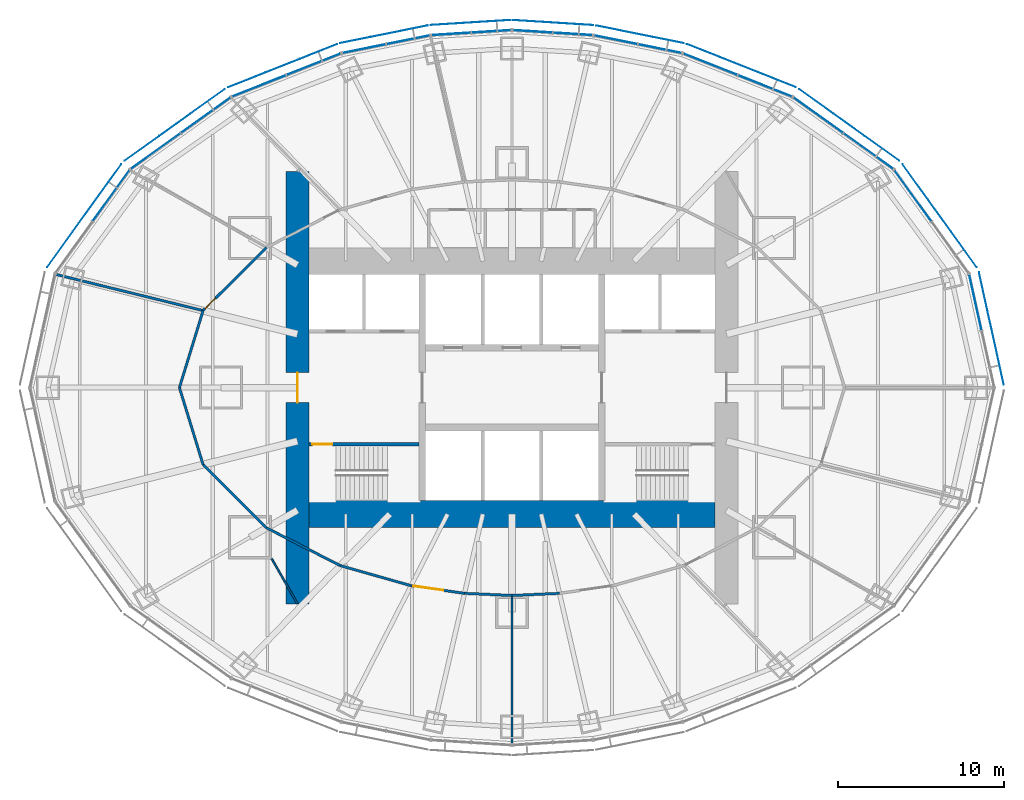
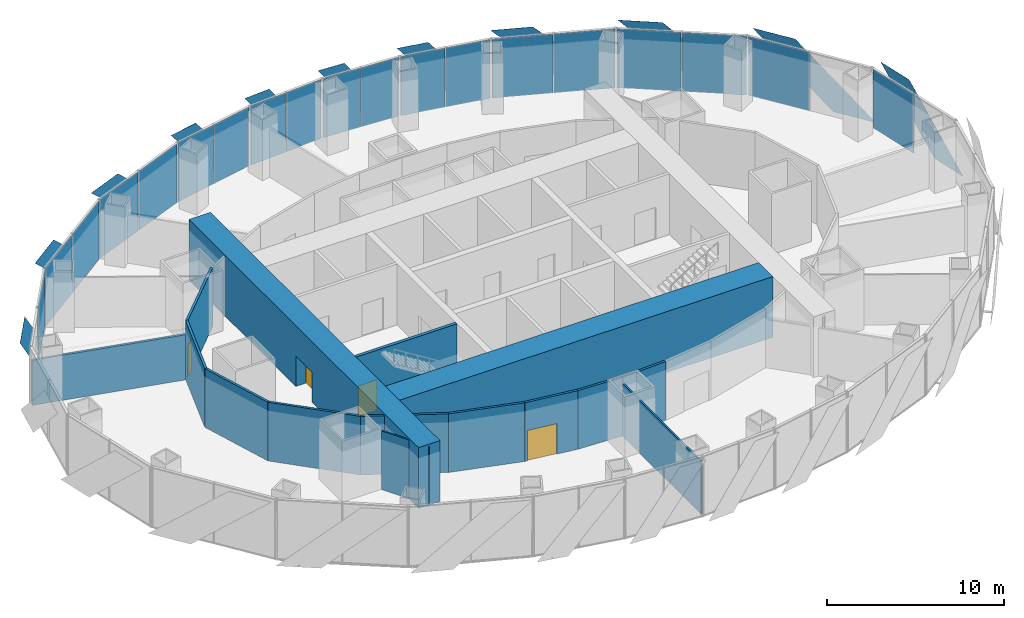
# One storey, part 10 of 18: 30 plates, 15 walls, 4 doors, 4 openings, 11 elements without a shape of their own.
"""IFC4 building model written with IfcOpenShell, lengths in metres."""

import ifcopenshell
import ifcopenshell.guid

model = None  # the IFC model being written
_history = None  # IfcOwnerHistory: only IFC2X3 demands one
_inside = {}  # id of a spatial element -> (the spatial element, [elements in it])
_under = {}  # id of a project, library or spatial element -> (it, [spatial elements below it])
_declared = {}  # id of a project -> (the project, [libraries it declares])
_typed = {}  # id of a type object -> (the type object, [elements of that type])
_made_of = {}  # id of a material, layer set ... -> (it, [elements and type objects made of it])


def new_model(schema):
    """Start an empty IFC model of exactly this schema.

    Asked for "IFC4X3", IfcOpenShell would pick the latest addendum, in which some entities
    have other attributes; the version numbers below select the first issue.
    IFC2X3 requires an IfcOwnerHistory on every rooted entity: one is made here for all.
    """
    global model, _history
    if schema == "IFC4X3":
        model = ifcopenshell.file(schema_version=(4, 3, 0, 0))
    else:
        model = ifcopenshell.file(schema=schema)
    _inside.clear()
    _under.clear()
    _declared.clear()
    _typed.clear()
    _made_of.clear()
    _history = None
    if model.schema == "IFC2X3":
        org = make("IfcOrganization", Name="unknown")
        user = make(
            "IfcPersonAndOrganization",
            ThePerson=make("IfcPerson", FamilyName="unknown"),
            TheOrganization=org,
        )
        app = make(
            "IfcApplication",
            ApplicationDeveloper=org,
            Version="unknown",
            ApplicationFullName="unknown",
            ApplicationIdentifier="unknown",
        )
        _history = make(
            "IfcOwnerHistory",
            OwningUser=user,
            OwningApplication=app,
            ChangeAction="ADDED",
            CreationDate=0,
        )
    return model


def make(cls, **values):
    """One entity of the class cls with the attributes given. An attribute that is None is left unset."""
    return model.create_entity(
        cls, **{name: value for name, value in values.items() if value is not None}
    )


def rooted(cls, **values):
    """An entity with a GlobalId (a new one), such as an element, a storey or a relation."""
    return make(cls, GlobalId=ifcopenshell.guid.new(), OwnerHistory=_history, **values)


def si_unit(unit_type, name, prefix=None):
    """IfcSIUnit, for example si_unit("LENGTHUNIT", "METRE", prefix="MILLI")."""
    return make("IfcSIUnit", UnitType=unit_type, Prefix=prefix, Name=name)


def assignment(units):
    """IfcUnitAssignment: the units of a project."""
    return None if units is None else make("IfcUnitAssignment", Units=units)


def point(xyz):
    """IfcCartesianPoint."""
    return None if xyz is None else make("IfcCartesianPoint", Coordinates=xyz)


def direction(xyz):
    """IfcDirection."""
    return None if xyz is None else make("IfcDirection", DirectionRatios=xyz)


def frame(location, z_axis=None, x_axis=None):
    """IfcAxis2Placement3D, a coordinate frame: its origin and axes. An axis left out is left unset."""
    return make(
        "IfcAxis2Placement3D",
        Location=point(location),
        Axis=direction(z_axis),
        RefDirection=direction(x_axis),
    )


def frame_2d(location, x_axis=None):
    """IfcAxis2Placement2D, a coordinate frame in the plane: its origin and x axis."""
    return make(
        "IfcAxis2Placement2D", Location=point(location), RefDirection=direction(x_axis)
    )


def origin():
    """The frame at (0, 0, 0) with its axes left unset."""
    return frame((0.0, 0.0, 0.0))


def origin_2d():
    """The frame at (0, 0) in the plane with its x axis left unset."""
    return frame_2d((0.0, 0.0))


def place(relative_to, where):
    """IfcLocalPlacement: puts the frame where relative to a parent placement (None: the world)."""
    return make(
        "IfcLocalPlacement", PlacementRelTo=relative_to, RelativePlacement=where
    )


def context(
    kind, dimensions, precision=None, world=None, true_north=None, identifier=None
):
    """IfcGeometricRepresentationContext, for example the 3D "Model" context."""
    return make(
        "IfcGeometricRepresentationContext",
        ContextIdentifier=identifier,
        ContextType=kind,
        CoordinateSpaceDimension=dimensions,
        Precision=precision,
        WorldCoordinateSystem=world,
        TrueNorth=true_north,
    )


def subcontext(parent, identifier, kind, view, scale=None):
    """IfcGeometricRepresentationSubContext, for example "Body" below "Model"."""
    return make(
        "IfcGeometricRepresentationSubContext",
        ContextIdentifier=identifier,
        ContextType=kind,
        ParentContext=parent,
        TargetScale=scale,
        TargetView=view,
    )


def project(units=None, contexts=None):
    """IfcProject with its units and contexts."""
    return rooted(
        "IfcProject",
        Name="project",
        RepresentationContexts=contexts,
        UnitsInContext=assignment(units),
    )


def spatial(cls, under=None, at=None, **own):
    """A site, building, storey or space (cls), placed at a placement, below another one or the project."""
    s = rooted(cls, ObjectPlacement=at, **own)
    if under is not None:
        _under.setdefault(under.id(), (under, []))[1].append(s)
    return s


def polyline(points):
    """IfcPolyline through the points."""
    return make("IfcPolyline", Points=[point(p) for p in points])


def profile(cls, at=None, kind="AREA", **sizes):
    """A parametric profile (cls). Its sizes go by their IFC names, for example OverallWidth=200.0."""
    return make(cls, ProfileType=kind, Position=at, **sizes)


def rectangle(**sizes):
    """IfcRectangleProfileDef."""
    return profile("IfcRectangleProfileDef", **sizes)


def outline(outer, holes=None, kind="AREA"):
    """IfcArbitraryClosedProfileDef: a profile drawn as a closed curve; with holes, ...WithVoids."""
    if holes is None:
        return make("IfcArbitraryClosedProfileDef", ProfileType=kind, OuterCurve=outer)
    return make(
        "IfcArbitraryProfileDefWithVoids",
        ProfileType=kind,
        OuterCurve=outer,
        InnerCurves=holes,
    )


def extrude(swept, where, along, depth):
    """IfcExtrudedAreaSolid: the profile swept, set in the frame where, extruded along a direction by depth."""
    return make(
        "IfcExtrudedAreaSolid",
        SweptArea=swept,
        Position=where,
        ExtrudedDirection=direction(along),
        Depth=depth,
    )


def shape(context_of_items, identifier, shape_type, items):
    """IfcShapeRepresentation: the items that make up one representation, for example the "Body"."""
    return make(
        "IfcShapeRepresentation",
        ContextOfItems=context_of_items,
        RepresentationIdentifier=identifier,
        RepresentationType=shape_type,
        Items=items,
    )


def material(Name=None, Category=None):
    """IfcMaterial."""
    return make("IfcMaterial", Name=Name, Category=Category)


def layer(
    of_material, thickness, ventilated=None, Name=None, Category=None, Priority=None
):
    """IfcMaterialLayer: one layer of a wall or slab, of a material (None: an air gap)."""
    return make(
        "IfcMaterialLayer",
        Material=of_material,
        LayerThickness=thickness,
        IsVentilated=ventilated,
        Name=Name,
        Category=Category,
        Priority=Priority,
    )


def layer_set(layers, Name=None):
    """IfcMaterialLayerSet."""
    return make("IfcMaterialLayerSet", MaterialLayers=layers, LayerSetName=Name)


def made_of(thing, what):
    """Note that an element or type object is made of a material, layer set ...; save() writes the relation."""
    if what is not None:
        _made_of.setdefault(what.id(), (what, []))[1].append(thing)
    return thing


def type_object(cls, material=None, **own):
    """A type object (cls), such as IfcWallType, which elements share."""
    return made_of(rooted(cls, **own), material)


def element(
    cls,
    number,
    at=None,
    inside=None,
    cuts=None,
    type_object=None,
    material=None,
    context=None,
    identifier="Body",
    shape_type=None,
    held_by="IfcProductDefinitionShape",
    body=None,
    shapes=None,
    **own,
):
    """One element of the class cls, such as IfcWall. Its Tag is "e" and its number.

    at: its placement. inside: the storey or other place that contains it. cuts: it is an
    opening in that element (IfcRelVoidsElement). A single representation is given by context,
    identifier, shape_type and body (its items); several are given by shapes. held_by: the class
    of the entity that holds the representations. save() writes the other relations.
    """
    e = rooted(cls, Tag="e%d" % number, ObjectPlacement=at, **own)
    if body is not None:
        shapes = [shape(context, identifier, shape_type, body)]
    if shapes is not None:
        e.Representation = make(held_by, Representations=shapes)
    if inside is not None:
        _inside.setdefault(inside.id(), (inside, []))[1].append(e)
    if cuts is not None:
        rooted(
            "IfcRelVoidsElement", RelatingBuildingElement=cuts, RelatedOpeningElement=e
        )
    if type_object is not None:
        _typed.setdefault(type_object.id(), (type_object, []))[1].append(e)
    return made_of(e, material)


def fill(opening, filler):
    """IfcRelFillsElement: the door or window that sits in an opening."""
    return rooted(
        "IfcRelFillsElement",
        RelatingOpeningElement=opening,
        RelatedBuildingElement=filler,
    )


def aggregate(whole, parts):
    """IfcRelAggregates: a whole, such as a stair, and the parts it consists of."""
    return rooted("IfcRelAggregates", RelatingObject=whole, RelatedObjects=parts)


def save(model, path):
    """Write the relations noted so far, then the file.

    IfcRelAggregates (storeys below a building ...), IfcRelContainedInSpatialStructure (elements
    in a storey), IfcRelDefinesByType, IfcRelAssociatesMaterial and IfcRelDeclares: one each for
    every whole, place, type object, material and project.
    """
    for whole, parts in _under.values():
        aggregate(whole, parts)
    for where, things in _inside.values():
        rooted(
            "IfcRelContainedInSpatialStructure",
            RelatedElements=things,
            RelatingStructure=where,
        )
    for kind, things in _typed.values():
        rooted("IfcRelDefinesByType", RelatedObjects=things, RelatingType=kind)
    for what, things in _made_of.values():
        rooted("IfcRelAssociatesMaterial", RelatedObjects=things, RelatingMaterial=what)
    for by, libraries in _declared.values():
        rooted("IfcRelDeclares", RelatingContext=by, RelatedDefinitions=libraries)
    model.write(path)


model = new_model("IFC4")

# Units and contexts
model_context = context("Model", 3, precision=1e-05, world=origin(), true_north=direction((0.0, 1.0)))
body_context = subcontext(model_context, "Body", "Model", "MODEL_VIEW")
ifc_project = project(units=[si_unit("LENGTHUNIT", "METRE"), si_unit("AREAUNIT", "SQUARE_METRE"), si_unit("VOLUMEUNIT", "CUBIC_METRE"), si_unit("PLANEANGLEUNIT", "RADIAN"), si_unit("MASSUNIT", "GRAM", prefix="KILO")], contexts=[model_context])

# Site, building, storey
site_placement = place(None, origin())
site = spatial("IfcSite", under=ifc_project, at=site_placement, CompositionType="ELEMENT")
building_placement = place(site_placement, origin())
building = spatial("IfcBuilding", under=site, at=building_placement, Name="Lantaw Convention Tower", CompositionType="ELEMENT")
storey_placement = place(building_placement, frame((0.0, 0.0, 134.199951171875)))
storey = spatial("IfcBuildingStorey", under=building, at=storey_placement, Name="L31", CompositionType="ELEMENT", Elevation=134.199951171875)

# Curtain wall, plate
ifc_material_1 = material(Name="Aluminium framed curtain wall", Category="aluminium")
curtain_wall_type = type_object("IfcCurtainWallType", Name="Office curtain wall low rise, pale aluminium", PredefinedType="USERDEFINED", material=ifc_material_1)
curtain_wall_1_placement = place(storey_placement, origin())
curtain_wall_1 = element("IfcCurtainWall", 1, at=curtain_wall_1_placement, inside=storey, type_object=curtain_wall_type, Name="Office curtain wall low rise, pale aluminium L31", ObjectType="UNITISED CURTAIN WALL", PredefinedType="USERDEFINED")
ifc_material_2 = material(Name="Clear insulating glass", Category="glass")
ifc_layer_1 = layer(ifc_material_2, 0.028076171875)
ifc_layer_set_1 = layer_set([ifc_layer_1], Name="CW-O1 panel 28")
plate_type_1 = type_object("IfcPlateType", Name="CW-O1 panel 28", PredefinedType="CURTAIN_PANEL", material=ifc_layer_set_1)
plate_1_placement = place(storey_placement, frame((27.868896484375, 5.1240234375, -0.0849609375), z_axis=(0.0, 0.0, 1.0), x_axis=(-0.215546166174, 0.9764936509, 0.0)))
plate_1 = element("IfcPlate", 2, at=plate_1_placement, type_object=plate_type_1, Name="CW-O1 panel 2.1", PredefinedType="CURTAIN_PANEL", context=body_context, shape_type="SweptSolid", body=[
    extrude(rectangle(XDim=3.41162109375, YDim=0.028076171875, at=origin_2d()), origin(), (0.0, 0.0, 1.0), 4.070068359375),
])
aggregate(curtain_wall_1, [plate_1])

curtain_wall_2_placement = place(storey_placement, origin())
curtain_wall_2 = element("IfcCurtainWall", 3, at=curtain_wall_2_placement, inside=storey, type_object=curtain_wall_type, Name="Office curtain wall low rise, pale aluminium L31", ObjectType="UNITISED CURTAIN WALL", PredefinedType="USERDEFINED")
plate_2_placement = place(storey_placement, frame((24.108154296875, 11.5439453125, -0.0849609375), z_axis=(0.0, 0.0, 1.0), x_axis=(-0.584512597221, 0.811384633629, 0.0)))
plate_2 = element("IfcPlate", 4, at=plate_2_placement, type_object=plate_type_1, Name="CW-O1 panel 2.1", PredefinedType="CURTAIN_PANEL", context=body_context, shape_type="SweptSolid", body=[
    extrude(rectangle(XDim=3.767333984375, YDim=0.028076171875, at=origin_2d()), origin(), (0.0, 0.0, 1.0), 4.070068359375),
])
aggregate(curtain_wall_2, [plate_2])

# Curtain wall, plates
curtain_wall_3_placement = place(storey_placement, origin())
curtain_wall_3 = element("IfcCurtainWall", 5, at=curtain_wall_3_placement, inside=storey, type_object=curtain_wall_type, Name="Office curtain wall low rise, pale aluminium L31", ObjectType="UNITISED CURTAIN WALL", PredefinedType="USERDEFINED")
plate_3_placement = place(storey_placement, frame((21.43408203125, 14.2236328125, -0.0849609375), z_axis=(0.0, 0.0, 1.0), x_axis=(-0.813208325995, 0.581972695693, 0.0)))
plate_3 = element("IfcPlate", 6, at=plate_3_placement, type_object=plate_type_1, Name="CW-O1 panel 1.1", PredefinedType="CURTAIN_PANEL", context=body_context, shape_type="SweptSolid", body=[
    extrude(rectangle(XDim=3.645263671875, YDim=0.028076171875, at=origin_2d()), origin(), (0.0, 0.0, 1.0), 4.070068359375),
])
plate_4_placement = place(storey_placement, frame((18.416748046875, 16.383056640625, -0.0849609375), z_axis=(0.0, 0.0, 1.0), x_axis=(-0.813208325995, 0.581972695693, 0.0)))
plate_4 = element("IfcPlate", 7, at=plate_4_placement, type_object=plate_type_1, Name="CW-O1 panel 2.1", PredefinedType="CURTAIN_PANEL", context=body_context, shape_type="SweptSolid", body=[
    extrude(rectangle(XDim=3.645263671875, YDim=0.028076171875, at=origin_2d()), origin(), (0.0, 0.0, 1.0), 4.070068359375),
])
aggregate(curtain_wall_3, [plate_3, plate_4])

curtain_wall_4_placement = place(storey_placement, origin())
curtain_wall_4 = element("IfcCurtainWall", 8, at=curtain_wall_4_placement, inside=storey, type_object=curtain_wall_type, Name="Office curtain wall low rise, pale aluminium L31", ObjectType="UNITISED CURTAIN WALL", PredefinedType="USERDEFINED")
plate_5_placement = place(storey_placement, frame((15.208251953125, 18.145263671875, -0.0849609375), z_axis=(0.0, 0.0, 1.0), x_axis=(-0.929547687544, 0.368701907483, 0.0)))
plate_5 = element("IfcPlate", 9, at=plate_5_placement, type_object=plate_type_1, Name="CW-O1 panel 1.1", PredefinedType="CURTAIN_PANEL", context=body_context, shape_type="SweptSolid", body=[
    extrude(rectangle(XDim=3.470703125, YDim=0.028076171875, at=origin_2d()), origin(), (0.0, 0.0, 1.0), 4.070068359375),
])
plate_6_placement = place(storey_placement, frame((11.921630859375, 19.448974609375, -0.0849609375), z_axis=(0.0, 0.0, 1.0), x_axis=(-0.929547687544, 0.368701907483, 0.0)))
plate_6 = element("IfcPlate", 10, at=plate_6_placement, type_object=plate_type_1, Name="CW-O1 panel 2.1", PredefinedType="CURTAIN_PANEL", context=body_context, shape_type="SweptSolid", body=[
    extrude(rectangle(XDim=3.470703125, YDim=0.028076171875, at=origin_2d()), origin(), (0.0, 0.0, 1.0), 4.070068359375),
])
aggregate(curtain_wall_4, [plate_5, plate_6])

curtain_wall_5_placement = place(storey_placement, origin())
curtain_wall_5 = element("IfcCurtainWall", 11, at=curtain_wall_5_placement, inside=storey, type_object=curtain_wall_type, Name="Office curtain wall low rise, pale aluminium L31", ObjectType="UNITISED CURTAIN WALL", PredefinedType="USERDEFINED")
plate_7_placement = place(storey_placement, frame((8.893310546875, 20.3857421875, -0.0849609375), z_axis=(0.0, 0.0, 1.0), x_axis=(-0.980301514912, 0.197506809659, 0.0)))
plate_7 = element("IfcPlate", 12, at=plate_7_placement, type_object=plate_type_1, Name="CW-O1 panel 1.1", PredefinedType="CURTAIN_PANEL", context=body_context, shape_type="SweptSolid", body=[
    extrude(rectangle(XDim=2.634033203125, YDim=0.028076171875, at=origin_2d()), origin(), (0.0, 0.0, 1.0), 4.070068359375),
])
plate_8_placement = place(storey_placement, frame((6.247314453125, 20.9189453125, -0.0849609375), z_axis=(0.0, 0.0, 1.0), x_axis=(-0.980301514912, 0.197506809659, 0.0)))
plate_8 = element("IfcPlate", 13, at=plate_8_placement, type_object=plate_type_1, Name="CW-O1 panel 2.1", PredefinedType="CURTAIN_PANEL", context=body_context, shape_type="SweptSolid", body=[
    extrude(rectangle(XDim=2.634033203125, YDim=0.028076171875, at=origin_2d()), origin(), (0.0, 0.0, 1.0), 4.070068359375),
])
aggregate(curtain_wall_5, [plate_7, plate_8])

curtain_wall_6_placement = place(storey_placement, origin())
curtain_wall_6 = element("IfcCurtainWall", 14, at=curtain_wall_6_placement, inside=storey, type_object=curtain_wall_type, Name="Office curtain wall low rise, pale aluminium L31", ObjectType="UNITISED CURTAIN WALL", PredefinedType="USERDEFINED")
plate_9_placement = place(storey_placement, frame((3.653076171875, 21.269775390625, -0.0849609375), z_axis=(0.0, 0.0, 1.0), x_axis=(-0.998022035978, 0.062865059466, 0.0)))
plate_9 = element("IfcPlate", 15, at=plate_9_placement, type_object=plate_type_1, Name="CW-O1 panel 1.1", PredefinedType="CURTAIN_PANEL", context=body_context, shape_type="SweptSolid", body=[
    extrude(rectangle(XDim=2.353515625, YDim=0.028076171875, at=origin_2d()), origin(), (0.0, 0.0, 1.0), 4.070068359375),
])
plate_10_placement = place(storey_placement, frame((1.2392578125, 21.421875, -0.0849609375), z_axis=(0.0, 0.0, 1.0), x_axis=(-0.998022035978, 0.062865059466, 0.0)))
plate_10 = element("IfcPlate", 16, at=plate_10_placement, type_object=plate_type_1, Name="CW-O1 panel 2.1", PredefinedType="CURTAIN_PANEL", context=body_context, shape_type="SweptSolid", body=[
    extrude(rectangle(XDim=2.353515625, YDim=0.028076171875, at=origin_2d()), origin(), (0.0, 0.0, 1.0), 4.070068359375),
])
aggregate(curtain_wall_6, [plate_9, plate_10])

curtain_wall_7_placement = place(storey_placement, origin())
curtain_wall_7 = element("IfcCurtainWall", 17, at=curtain_wall_7_placement, inside=storey, type_object=curtain_wall_type, Name="Office curtain wall low rise, pale aluminium L31", ObjectType="UNITISED CURTAIN WALL", PredefinedType="USERDEFINED")
plate_11_placement = place(storey_placement, frame((-1.2392578125, 21.421875, -0.0849609375), z_axis=(0.0, 0.0, 1.0), x_axis=(-0.998022035978, -0.062865059466, 0.0)))
plate_11 = element("IfcPlate", 18, at=plate_11_placement, type_object=plate_type_1, Name="CW-O1 panel 1.1", PredefinedType="CURTAIN_PANEL", context=body_context, shape_type="SweptSolid", body=[
    extrude(rectangle(XDim=2.353515625, YDim=0.028076171875, at=origin_2d()), origin(), (0.0, 0.0, 1.0), 4.070068359375),
])
plate_12_placement = place(storey_placement, frame((-3.653076171875, 21.269775390625, -0.0849609375), z_axis=(0.0, 0.0, 1.0), x_axis=(-0.998022035978, -0.062865059466, 0.0)))
plate_12 = element("IfcPlate", 19, at=plate_12_placement, type_object=plate_type_1, Name="CW-O1 panel 2.1", PredefinedType="CURTAIN_PANEL", context=body_context, shape_type="SweptSolid", body=[
    extrude(rectangle(XDim=2.353515625, YDim=0.028076171875, at=origin_2d()), origin(), (0.0, 0.0, 1.0), 4.070068359375),
])
aggregate(curtain_wall_7, [plate_11, plate_12])

curtain_wall_8_placement = place(storey_placement, origin())
curtain_wall_8 = element("IfcCurtainWall", 20, at=curtain_wall_8_placement, inside=storey, type_object=curtain_wall_type, Name="Office curtain wall low rise, pale aluminium L31", ObjectType="UNITISED CURTAIN WALL", PredefinedType="USERDEFINED")
plate_13_placement = place(storey_placement, frame((-6.247314453125, 20.9189453125, -0.0849609375), z_axis=(0.0, 0.0, 1.0), x_axis=(-0.980301514912, -0.197506809659, 0.0)))
plate_13 = element("IfcPlate", 21, at=plate_13_placement, type_object=plate_type_1, Name="CW-O1 panel 1.1", PredefinedType="CURTAIN_PANEL", context=body_context, shape_type="SweptSolid", body=[
    extrude(rectangle(XDim=2.634033203125, YDim=0.028076171875, at=origin_2d()), origin(), (0.0, 0.0, 1.0), 4.070068359375),
])
plate_14_placement = place(storey_placement, frame((-8.893310546875, 20.3857421875, -0.0849609375), z_axis=(0.0, 0.0, 1.0), x_axis=(-0.980301514912, -0.197506809659, 0.0)))
plate_14 = element("IfcPlate", 22, at=plate_14_placement, type_object=plate_type_1, Name="CW-O1 panel 2.1", PredefinedType="CURTAIN_PANEL", context=body_context, shape_type="SweptSolid", body=[
    extrude(rectangle(XDim=2.634033203125, YDim=0.028076171875, at=origin_2d()), origin(), (0.0, 0.0, 1.0), 4.070068359375),
])
aggregate(curtain_wall_8, [plate_13, plate_14])

curtain_wall_9_placement = place(storey_placement, origin())
curtain_wall_9 = element("IfcCurtainWall", 23, at=curtain_wall_9_placement, inside=storey, type_object=curtain_wall_type, Name="Office curtain wall low rise, pale aluminium L31", ObjectType="UNITISED CURTAIN WALL", PredefinedType="USERDEFINED")
plate_15_placement = place(storey_placement, frame((-11.921630859375, 19.448974609375, -0.0849609375), z_axis=(0.0, 0.0, 1.0), x_axis=(-0.929547687544, -0.368701907483, 0.0)))
plate_15 = element("IfcPlate", 24, at=plate_15_placement, type_object=plate_type_1, Name="CW-O1 panel 1.1", PredefinedType="CURTAIN_PANEL", context=body_context, shape_type="SweptSolid", body=[
    extrude(rectangle(XDim=3.470703125, YDim=0.028076171875, at=origin_2d()), origin(), (0.0, 0.0, 1.0), 4.070068359375),
])
plate_16_placement = place(storey_placement, frame((-15.208251953125, 18.145263671875, -0.0849609375), z_axis=(0.0, 0.0, 1.0), x_axis=(-0.929547687544, -0.368701907483, 0.0)))
plate_16 = element("IfcPlate", 25, at=plate_16_placement, type_object=plate_type_1, Name="CW-O1 panel 2.1", PredefinedType="CURTAIN_PANEL", context=body_context, shape_type="SweptSolid", body=[
    extrude(rectangle(XDim=3.470703125, YDim=0.028076171875, at=origin_2d()), origin(), (0.0, 0.0, 1.0), 4.070068359375),
])
aggregate(curtain_wall_9, [plate_15, plate_16])

curtain_wall_10_placement = place(storey_placement, origin())
curtain_wall_10 = element("IfcCurtainWall", 26, at=curtain_wall_10_placement, inside=storey, type_object=curtain_wall_type, Name="Office curtain wall low rise, pale aluminium L31", ObjectType="UNITISED CURTAIN WALL", PredefinedType="USERDEFINED")
plate_17_placement = place(storey_placement, frame((-18.416748046875, 16.383056640625, -0.0849609375), z_axis=(0.0, 0.0, 1.0), x_axis=(-0.813208325995, -0.581972695693, 0.0)))
plate_17 = element("IfcPlate", 27, at=plate_17_placement, type_object=plate_type_1, Name="CW-O1 panel 1.1", PredefinedType="CURTAIN_PANEL", context=body_context, shape_type="SweptSolid", body=[
    extrude(rectangle(XDim=3.645263671875, YDim=0.028076171875, at=origin_2d()), origin(), (0.0, 0.0, 1.0), 4.070068359375),
])
plate_18_placement = place(storey_placement, frame((-21.43408203125, 14.2236328125, -0.0849609375), z_axis=(0.0, 0.0, 1.0), x_axis=(-0.813208325995, -0.581972695693, 0.0)))
plate_18 = element("IfcPlate", 28, at=plate_18_placement, type_object=plate_type_1, Name="CW-O1 panel 2.1", PredefinedType="CURTAIN_PANEL", context=body_context, shape_type="SweptSolid", body=[
    extrude(rectangle(XDim=3.645263671875, YDim=0.028076171875, at=origin_2d()), origin(), (0.0, 0.0, 1.0), 4.070068359375),
])
aggregate(curtain_wall_10, [plate_17, plate_18])

# Curtain wall, plate
curtain_wall_11_placement = place(storey_placement, origin())
curtain_wall_11 = element("IfcCurtainWall", 29, at=curtain_wall_11_placement, inside=storey, type_object=curtain_wall_type, Name="Office curtain wall low rise, pale aluminium L31", ObjectType="UNITISED CURTAIN WALL", PredefinedType="USERDEFINED")
plate_19_placement = place(storey_placement, frame((-24.108154296875, 11.5439453125, -0.0849609375), z_axis=(0.0, 0.0, 1.0), x_axis=(-0.584512597221, -0.811384633629, 0.0)))
plate_19 = element("IfcPlate", 30, at=plate_19_placement, type_object=plate_type_1, Name="CW-O1 panel 1.1", PredefinedType="CURTAIN_PANEL", context=body_context, shape_type="SweptSolid", body=[
    extrude(rectangle(XDim=3.767333984375, YDim=0.028076171875, at=origin_2d()), origin(), (0.0, 0.0, 1.0), 4.070068359375),
])
aggregate(curtain_wall_11, [plate_19])

# Plates
ifc_material_3 = material(Name="Perforated aluminium sheet, pale silver finish", Category="aluminium")
ifc_layer_2 = layer(ifc_material_3, 0.006103515625)
ifc_layer_set_2 = layer_set([ifc_layer_2], Name="Perforated aluminium solar SCREEN panel")
plate_type_2 = type_object("IfcPlateType", Name="Perforated aluminium solar SCREEN panel", PredefinedType="SHEET", material=ifc_layer_set_2)
plate_20_placement = place(storey_placement, frame((29.5810546875, 0.179443359375, -0.175048828125), z_axis=(0.976497812463, 0.215527309509, 3.332717e-05), x_axis=(-0.215527309629, 0.976497813005, 1.665e-09)))
element("IfcPlate", 31, at=plate_20_placement, inside=storey, type_object=plate_type_2, Name="Solar SCREEN panel", PredefinedType="SHEET", context=body_context, shape_type="SweptSolid", body=[
    extrude(outline(polyline([(0.0, 0.0), (2.3861843673609986, 3.3881317890172014e-21), (6.918240190546627, 4.340087881517419), (4.532108442157707, 4.340087889462621), (0.0, 0.0)])), origin(), (0.0, 0.0, -1.0), 0.006103515625),
])
plate_21_placement = place(storey_placement, frame((27.94970703125, 7.248046875, -0.175048828125), z_axis=(0.81139512159, 0.584498037099, 3.5886784e-05), x_axis=(-0.584498037475, 0.811395122112, -9.74e-10)))
element("IfcPlate", 32, at=plate_21_placement, inside=storey, type_object=plate_type_2, Name="Solar SCREEN panel", PredefinedType="SHEET", context=body_context, shape_type="SweptSolid", body=[
    extrude(outline(polyline([(0.0, 0.0), (2.628222178575422, -6.776263578034403e-21), (7.629778257969264, 4.340087900852944), (5.001754173906077, 4.340087895732103), (0.0, 0.0)])), origin(), (0.0, 0.0, -1.0), 0.006103515625),
])
plate_22_placement = place(storey_placement, frame((23.281005859375, 13.64697265625, -0.175048828125), z_axis=(0.582000183937, 0.813188653244, 1.1537145e-05), x_axis=(-0.813188653298, 0.582000183975, 0.0)))
element("IfcPlate", 33, at=plate_22_placement, inside=storey, type_object=plate_type_2, Name="Solar SCREEN panel", PredefinedType="SHEET", context=body_context, shape_type="SweptSolid", body=[
    extrude(outline(polyline([(0.0, 0.0), (2.5450183911586484, 0.0), (7.385531276904658, 4.340087890913846), (4.840512885746009, 4.340087890913846), (0.0, 0.0)])), origin(), (0.0, 0.0, -1.0), 0.006103515625),
])
plate_23_placement = place(storey_placement, frame((17.05859375, 18.063232421875, -0.175048828125), z_axis=(-0.368708915367, -0.929544907797, 1.086705e-05), x_axis=(-0.929544907851, 0.368708915389, 7.1e-10)))
element("IfcPlate", 34, at=plate_23_placement, inside=storey, type_object=plate_type_2, Name="Solar SCREEN panel", PredefinedType="SHEET", context=body_context, shape_type="SweptSolid", body=[
    extrude(outline(polyline([(0.0, 0.0), (2.4263803793049097, -1.6940658945086007e-21), (7.036549629566982, -4.340087885886879), (4.61003232741235, -4.340087889331358), (0.0, 0.0)])), origin(), (0.0, 0.0, -1.0), 0.006103515625),
])
plate_24_placement = place(storey_placement, frame((10.318603515625, 20.716796875, -0.175048828125), z_axis=(0.197556725442, 0.980291455983, 3.9483498e-05), x_axis=(-0.980291456747, 0.197556725596, 0.0)))
element("IfcPlate", 35, at=plate_24_placement, inside=storey, type_object=plate_type_2, Name="Solar SCREEN panel", PredefinedType="SHEET", context=body_context, shape_type="SweptSolid", body=[
    extrude(outline(polyline([(0.0, 0.0), (1.8574075788555457, 3.3881317890172014e-21), (5.362987026845185, 4.340087894007983), (3.505579447989639, 4.340087894007983), (0.0, 0.0)])), origin(), (0.0, 0.0, -1.0), 0.006103515625),
])
plate_25_placement = place(storey_placement, frame((4.880615234375, 21.7998046875, -0.175048828125), z_axis=(0.062838799866, 0.998023689713, 1.755059e-06), x_axis=(-0.998023689715, 0.062838799866, -8e-12)))
element("IfcPlate", 36, at=plate_25_placement, inside=storey, type_object=plate_type_2, Name="Solar SCREEN panel", PredefinedType="SHEET", context=body_context, shape_type="SweptSolid", body=[
    extrude(outline(polyline([(0.0, 0.0), (1.6666243269452135, 2.6469779601696886e-23), (4.802214797186689, 4.340087890670476), (3.135346812114104, 4.340087890643548), (0.0, 0.0)])), origin(), (0.0, 0.0, -1.0), 0.006103515625),
])
plate_26_placement = place(storey_placement, frame((-0.087890625, 22.1015625, -0.175048828125), z_axis=(0.062838799866, -0.998023689713, 1.755059e-06), x_axis=(-0.998023689715, -0.062838799866, 8e-12)))
element("IfcPlate", 37, at=plate_26_placement, inside=storey, type_object=plate_type_2, Name="Solar SCREEN panel", PredefinedType="SHEET", context=body_context, shape_type="SweptSolid", body=[
    extrude(outline(polyline([(0.0, 0.0), (1.6668679850725854, -5.293955920339377e-23), (4.802214797256801, -4.340087890592899), (3.1355904703115876, -4.340087890619822), (0.0, 0.0)])), origin(), (0.0, 0.0, -1.0), 0.006103515625),
])
plate_27_placement = place(storey_placement, frame((-5.061279296875, 21.776123046875, -0.175048828125), z_axis=(0.197556725442, -0.980291455983, 3.9483498e-05), x_axis=(-0.980291456747, -0.197556725596, 0.0)))
element("IfcPlate", 38, at=plate_27_placement, inside=storey, type_object=plate_type_2, Name="Solar SCREEN panel", PredefinedType="SHEET", context=body_context, shape_type="SweptSolid", body=[
    extrude(outline(polyline([(0.0, 0.0), (1.8574075788555457, -3.3881317890172014e-21), (5.362987026845185, -4.340087894007983), (3.505579447989639, -4.340087894007983), (0.0, 0.0)])), origin(), (0.0, 0.0, -1.0), 0.006103515625),
])
plate_28_placement = place(storey_placement, frame((-10.517822265625, 20.65771484375, -0.175048828125), z_axis=(-0.368708915367, 0.929544907797, 1.086705e-05), x_axis=(-0.929544907851, -0.368708915389, -7.1e-10)))
element("IfcPlate", 39, at=plate_28_placement, inside=storey, type_object=plate_type_2, Name="Solar SCREEN panel", PredefinedType="SHEET", context=body_context, shape_type="SweptSolid", body=[
    extrude(outline(polyline([(0.0, 0.0), (2.426517302154632, -1.6940658945086007e-21), (7.036549623406159, 4.340087895875372), (4.610169244101249, 4.340087892431086), (0.0, 0.0)])), origin(), (0.0, 0.0, -1.0), 0.006103515625),
])
plate_29_placement = place(storey_placement, frame((-17.275146484375, 17.9453125, -0.175048828125), z_axis=(0.582000183937, -0.813188653244, 1.1537145e-05), x_axis=(-0.813188653298, -0.582000183975, 0.0)))
element("IfcPlate", 40, at=plate_29_placement, inside=storey, type_object=plate_type_2, Name="Solar SCREEN panel", PredefinedType="SHEET", context=body_context, shape_type="SweptSolid", body=[
    extrude(outline(polyline([(0.0, 0.0), (2.5450183911586484, 0.0), (7.385531276904658, -4.340087890913846), (4.840512885746009, -4.340087890913846), (0.0, 0.0)])), origin(), (0.0, 0.0, -1.0), 0.006103515625),
])
plate_30_placement = place(storey_placement, frame((-23.489990234375, 13.438720703125, -0.175048828125), z_axis=(0.81139512159, -0.584498037099, 3.5886784e-05), x_axis=(-0.584498037475, -0.811395122112, 9.74e-10)))
element("IfcPlate", 41, at=plate_30_placement, inside=storey, type_object=plate_type_2, Name="Solar SCREEN panel", PredefinedType="SHEET", context=body_context, shape_type="SweptSolid", body=[
    extrude(outline(polyline([(0.0, 0.0), (2.6280240840631874, -6.776263578034403e-21), (7.6297782664261495, -4.340087885985926), (5.0015560878507275, -4.340087891107152), (0.0, 0.0)])), origin(), (0.0, 0.0, -1.0), 0.006103515625),
])

# Wall, opening, door
ifc_material_4 = material(Name="Concrete C60/75", Category="concrete")
ifc_layer_3 = layer(ifc_material_4, 1.39990234375)
ifc_layer_set_3 = layer_set([ifc_layer_3], Name="Core wall 1400")
wall_type_1 = type_object("IfcWallType", Name="Core wall 1400", PredefinedType="SHEAR", material=ifc_layer_set_3)
wall_1_placement = place(storey_placement, frame((-12.89990234375, 13.0, 0.0), z_axis=(0.0, 0.0, 1.0), x_axis=(0.0, -1.0, 0.0)))
wall_1 = element("IfcWall", 42, at=wall_1_placement, inside=storey, type_object=wall_type_1, Name="Core wall W", PredefinedType="SHEAR", context=body_context, shape_type="SweptSolid", body=[
    extrude(rectangle(XDim=26.0, YDim=1.39990234375, at=frame_2d((13.0, 0.0))), origin(), (0.0, 0.0, 1.0), 4.199951171875),
])
opening_1_placement = place(wall_1_placement, frame((12.10009765625, 0.0, 0.0)))
opening_1 = element("IfcOpeningElement", 43, at=opening_1_placement, cuts=wall_1, Name="Opening L31.06", PredefinedType="OPENING", context=body_context, shape_type="SweptSolid", body=[
    extrude(rectangle(XDim=1.800048828125, YDim=2.10009765625, at=frame_2d((0.89990234375, 1.050048828125))), frame((0.0, 0.7099609375, 0.0), z_axis=(0.0, -1.0, 0.0), x_axis=(1.0, 0.0, 0.0)), (0.0, 0.0, 1.0), 1.419921875),
])
ifc_material_5 = material(Name="Steel, fire rated", Category="steel")
door_type_1 = type_object("IfcDoorType", Name="Lobby double door FD90", OperationType="DOUBLE_DOOR_DOUBLE_SWING", PredefinedType="DOOR", material=ifc_material_5)
door_1_placement = place(opening_1_placement, origin())
door_1 = element("IfcDoor", 44, at=door_1_placement, inside=storey, type_object=door_type_1, Name="Firefighting lobby door", OperationType="DOUBLE_DOOR_DOUBLE_SWING", OverallHeight=2.10009765625, OverallWidth=1.800048828125, PredefinedType="DOOR", context=body_context, shape_type="SweptSolid", body=[
    extrude(rectangle(XDim=1.800048828125, YDim=2.10009765625, at=frame_2d((0.89990234375, 1.050048828125))), frame((0.0, 0.02490234375, 0.0), z_axis=(0.0, -1.0, 0.0), x_axis=(1.0, 0.0, 0.0)), (0.0, 0.0, 1.0), 0.050048828125),
])
fill(opening_1, door_1)

# Wall
ifc_layer_4 = layer(ifc_material_4, 1.60009765625)
ifc_layer_set_4 = layer_set([ifc_layer_4], Name="Core wall 1600")
wall_type_2 = type_object("IfcWallType", Name="Core wall 1600", PredefinedType="SHEAR", material=ifc_layer_set_4)
wall_2_placement = place(storey_placement, frame((-12.199951171875, -7.60009765625, 0.0), z_axis=(0.0, 0.0, 1.0), x_axis=(1.0, 0.0, 0.0)))
element("IfcWall", 45, at=wall_2_placement, inside=storey, type_object=wall_type_2, Name="Core wall S", PredefinedType="SHEAR", context=body_context, shape_type="SweptSolid", body=[
    extrude(rectangle(XDim=24.39990234375, YDim=1.60009765625, at=frame_2d((12.199951171875, 0.0))), origin(), (0.0, 0.0, 1.0), 4.199951171875),
])

# Wall, opening, door
ifc_layer_5 = layer(ifc_material_4, 0.199951171875)
ifc_layer_set_5 = layer_set([ifc_layer_5], Name="Core wall 200")
wall_type_3 = type_object("IfcWallType", Name="Core wall 200", PredefinedType="SHEAR", material=ifc_layer_set_5)
wall_3_placement = place(storey_placement, frame((-5.60009765625, -3.39990234375, 0.0), z_axis=(0.0, 0.0, 1.0), x_axis=(-1.0, 0.0, 0.0)))
wall_3 = element("IfcWall", 46, at=wall_3_placement, inside=storey, type_object=wall_type_3, Name="Core wall WS", PredefinedType="SHEAR", context=body_context, shape_type="SweptSolid", body=[
    extrude(rectangle(XDim=6.599853515625, YDim=0.199951171875, at=frame_2d((3.2998046875, 0.0))), origin(), (0.0, 0.0, 1.0), 4.199951171875),
])
opening_2_placement = place(wall_3_placement, frame((5.199951171875, 0.0, 0.0)))
opening_2 = element("IfcOpeningElement", 47, at=opening_2_placement, cuts=wall_3, Name="Opening L31.04", PredefinedType="OPENING", context=body_context, shape_type="SweptSolid", body=[
    extrude(rectangle(XDim=1.199951171875, YDim=2.10009765625, at=frame_2d((0.60009765625, 1.050048828125))), frame((0.0, 0.10986328125, 0.0), z_axis=(0.0, -1.0, 0.0), x_axis=(1.0, 0.0, 0.0)), (0.0, 0.0, 1.0), 0.219970703125),
])
door_type_2 = type_object("IfcDoorType", Name="Stair door FD90", OperationType="SINGLE_SWING_RIGHT", PredefinedType="DOOR", material=ifc_material_5)
door_2_placement = place(opening_2_placement, origin())
door_2 = element("IfcDoor", 48, at=door_2_placement, inside=storey, type_object=door_type_2, Name="Exit stair door", OperationType="SINGLE_SWING_RIGHT", OverallHeight=2.10009765625, OverallWidth=1.199951171875, PredefinedType="DOOR", context=body_context, shape_type="SweptSolid", body=[
    extrude(rectangle(XDim=1.199951171875, YDim=2.10009765625, at=frame_2d((0.60009765625, 1.050048828125))), frame((0.0, 0.02490234375, 0.0), z_axis=(0.0, -1.0, 0.0), x_axis=(1.0, 0.0, 0.0)), (0.0, 0.0, 1.0), 0.050048828125),
])
fill(opening_2, door_2)

ifc_material_6 = material(Name="Gypsum board on steel studs, fire rated", Category="steel")
ifc_layer_6 = layer(ifc_material_6, 0.14990234375)
ifc_layer_set_6 = layer_set([ifc_layer_6], Name="Corridor wall 150 EI 60")
wall_type_4 = type_object("IfcWallType", Name="Corridor wall 150 EI 60", PredefinedType="PARTITIONING", material=ifc_layer_set_6)
wall_4_placement = place(storey_placement, frame((-14.760498046875, 8.4345703125, 0.0), z_axis=(0.0, 0.0, 1.0), x_axis=(-0.708306665233, -0.705904857603, 0.0)))
wall_4 = element("IfcWall", 49, at=wall_4_placement, inside=storey, type_object=wall_type_4, Name="Corridor wall 150", PredefinedType="PARTITIONING", context=body_context, shape_type="SweptSolid", body=[
    extrude(rectangle(XDim=5.387451171875, YDim=0.14990234375, at=frame_2d((2.69384765625, 0.0))), origin(), (0.0, 0.0, 1.0), 4.050048828125),
])
opening_3_placement = place(wall_4_placement, frame((4.33740234375, 0.0, 0.0)))
opening_3 = element("IfcOpeningElement", 50, at=opening_3_placement, cuts=wall_4, Name="Opening L31.21", PredefinedType="OPENING", context=body_context, shape_type="SweptSolid", body=[
    extrude(rectangle(XDim=0.89990234375, YDim=2.10009765625, at=frame_2d((0.449951171875, 1.050048828125))), frame((0.0, 0.0849609375, 0.0), z_axis=(0.0, -1.0, 0.0), x_axis=(1.0, 0.0, 0.0)), (0.0, 0.0, 1.0), 0.169921875),
])
door_type_3 = type_object("IfcDoorType", Name="Office door 900 FD30", OperationType="SINGLE_SWING_LEFT", PredefinedType="DOOR", material=ifc_material_5)
door_3_placement = place(opening_3_placement, origin())
door_3 = element("IfcDoor", 51, at=door_3_placement, inside=storey, type_object=door_type_3, Name="24-hour pantry door", OperationType="SINGLE_SWING_LEFT", OverallHeight=2.10009765625, OverallWidth=0.89990234375, PredefinedType="DOOR", context=body_context, shape_type="SweptSolid", body=[
    extrude(rectangle(XDim=0.89990234375, YDim=2.10009765625, at=frame_2d((0.449951171875, 1.050048828125))), frame((0.0, 0.02490234375, 0.0), z_axis=(0.0, -1.0, 0.0), x_axis=(1.0, 0.0, 0.0)), (0.0, 0.0, 1.0), 0.050048828125),
])
fill(opening_3, door_3)

# Walls
for number, where, z_axis, x_axis, name in (
    (52, (-18.576416015625, 4.631591796875, 0.0), (0.0, 0.0, 1.0), (-0.293799045613, -0.955867208767, 0.0), "Corridor wall 150"),
    (53, (-20.0, 0.0, 0.0), (0.0, 0.0, 1.0), (0.293799045613, -0.955867208767, 0.0), "Corridor wall 150"),
):
    element("IfcWall", number, at=place(storey_placement, frame(where, z_axis=z_axis, x_axis=x_axis)), inside=storey, type_object=wall_type_4, Name=name, PredefinedType="PARTITIONING", context=body_context, shape_type="SweptSolid", body=[
        extrude(rectangle(XDim=4.845458984375, YDim=0.14990234375, at=frame_2d((2.4228515625, 0.0))), origin(), (0.0, 0.0, 1.0), 4.050048828125),
    ])
wall_5_placement = place(storey_placement, frame((-18.576416015625, -4.631591796875, 0.0), z_axis=(0.0, 0.0, 1.0), x_axis=(0.708306665233, -0.705904857603, 0.0)))
element("IfcWall", 54, at=wall_5_placement, inside=storey, type_object=wall_type_4, Name="Corridor wall 150", PredefinedType="PARTITIONING", context=body_context, shape_type="SweptSolid", body=[
    extrude(rectangle(XDim=5.387451171875, YDim=0.14990234375, at=frame_2d((2.69384765625, 0.0))), origin(), (0.0, 0.0, 1.0), 4.050048828125),
])
wall_6_placement = place(storey_placement, frame((-14.760498046875, -8.4345703125, 0.0), z_axis=(0.0, 0.0, 1.0), x_axis=(0.890004978294, -0.455950807227, 0.0)))
element("IfcWall", 55, at=wall_6_placement, inside=storey, type_object=wall_type_4, Name="Corridor wall 150", PredefinedType="PARTITIONING", context=body_context, shape_type="SweptSolid", body=[
    extrude(rectangle(XDim=4.97265625, YDim=0.14990234375, at=frame_2d((2.486328125, 0.0))), origin(), (0.0, 0.0, 1.0), 4.050048828125),
])
wall_7_placement = place(storey_placement, frame((-10.334716796875, -10.701904296875, 0.0), z_axis=(0.0, 0.0, 1.0), x_axis=(0.962122152905, -0.272618713388, 0.0)))
element("IfcWall", 56, at=wall_7_placement, inside=storey, type_object=wall_type_4, Name="Corridor wall 150", PredefinedType="PARTITIONING", context=body_context, shape_type="SweptSolid", body=[
    extrude(rectangle(XDim=4.433837890625, YDim=0.14990234375, at=frame_2d((2.216796875, 0.0))), origin(), (0.0, 0.0, 1.0), 4.050048828125),
])

# Wall, opening, door
wall_8_placement = place(storey_placement, frame((-6.06884765625, -11.91064453125, 0.0), z_axis=(0.0, 0.0, 1.0), x_axis=(0.989852979412, -0.14209531713, 0.0)))
wall_8 = element("IfcWall", 57, at=wall_8_placement, inside=storey, type_object=wall_type_4, Name="Corridor wall 150", PredefinedType="PARTITIONING", context=body_context, shape_type="SweptSolid", body=[
    extrude(rectangle(XDim=3.24560546875, YDim=0.14990234375, at=frame_2d((1.622802734375, 0.0))), origin(), (0.0, 0.0, 1.0), 4.050048828125),
])
opening_4_placement = place(wall_8_placement, frame((0.14990234375, 0.0, 0.0)))
opening_4 = element("IfcOpeningElement", 58, at=opening_4_placement, cuts=wall_8, Name="Opening L31.22", PredefinedType="OPENING", context=body_context, shape_type="SweptSolid", body=[
    extrude(rectangle(XDim=1.800048828125, YDim=2.10009765625, at=frame_2d((0.89990234375, 1.050048828125))), frame((0.0, 0.0849609375, 0.0), z_axis=(0.0, -1.0, 0.0), x_axis=(1.0, 0.0, 0.0)), (0.0, 0.0, 1.0), 0.169921875),
])
door_type_4 = type_object("IfcDoorType", Name="Office double door 1800 FD30", OperationType="DOUBLE_DOOR_DOUBLE_SWING", PredefinedType="DOOR", material=ifc_material_5)
door_4_placement = place(opening_4_placement, origin())
door_4 = element("IfcDoor", 59, at=door_4_placement, inside=storey, type_object=door_type_4, Name="Contact-centre floor door", OperationType="DOUBLE_DOOR_DOUBLE_SWING", OverallHeight=2.10009765625, OverallWidth=1.800048828125, PredefinedType="DOOR", context=body_context, shape_type="SweptSolid", body=[
    extrude(rectangle(XDim=1.800048828125, YDim=2.10009765625, at=frame_2d((0.89990234375, 1.050048828125))), frame((0.0, 0.02490234375, 0.0), z_axis=(0.0, -1.0, 0.0), x_axis=(1.0, 0.0, 0.0)), (0.0, 0.0, 1.0), 0.050048828125),
])
fill(opening_4, door_4)

# Walls
for number, where, z_axis, x_axis, name in (
    (60, (-2.856201171875, -12.371826171875, 0.0), (0.0, 0.0, 1.0), (0.998994607156, -0.044830512758, 0.0), "Corridor wall 150"),
    (61, (0.0, -12.5, 0.0), (0.0, 0.0, 1.0), (0.998994607156, 0.044830512758, 0.0), "Corridor wall 150"),
):
    element("IfcWall", number, at=place(storey_placement, frame(where, z_axis=z_axis, x_axis=x_axis)), inside=storey, type_object=wall_type_4, Name=name, PredefinedType="PARTITIONING", context=body_context, shape_type="SweptSolid", body=[
        extrude(rectangle(XDim=2.859130859375, YDim=0.14990234375, at=frame_2d((1.4296875, 0.0))), origin(), (0.0, 0.0, 1.0), 4.050048828125),
    ])
ifc_material_7 = material(Name="Gypsum board on steel studs, acoustic", Category="steel")
ifc_layer_7 = layer(ifc_material_7, 0.10009765625)
ifc_layer_set_7 = layer_set([ifc_layer_7], Name="Office partition 100")
wall_type_5 = type_object("IfcWallType", Name="Office partition 100", PredefinedType="PARTITIONING", material=ifc_layer_set_7)
wall_9_placement = place(storey_placement, frame((0.0, -21.44482421875, 0.0), z_axis=(0.0, 0.0, 1.0), x_axis=(0.0, 1.0, 0.0)))
element("IfcWall", 62, at=wall_9_placement, inside=storey, type_object=wall_type_5, Name="Office partition 100", PredefinedType="PARTITIONING", context=body_context, shape_type="SweptSolid", body=[
    extrude(rectangle(XDim=8.94482421875, YDim=0.10009765625, at=frame_2d((4.472412109375, 0.0))), origin(), (0.0, 0.0, 1.0), 3.6435546875),
])
wall_10_placement = place(storey_placement, frame((-12.89990234375, -13.0, 0.0), z_axis=(0.0, 0.0, 1.0), x_axis=(-0.497886086714, 0.867242437071, 0.0)))
element("IfcWall", 63, at=wall_10_placement, inside=storey, type_object=wall_type_5, Name="Office partition 100", PredefinedType="PARTITIONING", context=body_context, shape_type="SweptSolid", body=[
    extrude(rectangle(XDim=3.11328125, YDim=0.10009765625, at=frame_2d((1.556640625, 0.0))), origin(), (0.0, 0.0, 1.0), 4.050048828125),
])
ifc_layer_8 = layer(ifc_material_6, 0.14990234375)
ifc_layer_set_8 = layer_set([ifc_layer_8], Name="Tenant separation wall 150 EI 60")
wall_type_6 = type_object("IfcWallType", Name="Tenant separation wall 150 EI 60", PredefinedType="PARTITIONING", material=ifc_layer_set_8)
wall_11_placement = place(storey_placement, frame((-27.440673828125, 6.80908203125, 0.0), z_axis=(0.0, 0.0, 1.0), x_axis=(0.971128704348, -0.238556156056, 0.0)))
element("IfcWall", 64, at=wall_11_placement, inside=storey, type_object=wall_type_6, Name="Tenant separation wall 150", PredefinedType="PARTITIONING", context=body_context, shape_type="SweptSolid", body=[
    extrude(rectangle(XDim=9.127685546875, YDim=0.14990234375, at=frame_2d((4.56396484375, 0.0))), origin(), (0.0, 0.0, 1.0), 3.11279296875),
])

save(model, "model.ifc")
